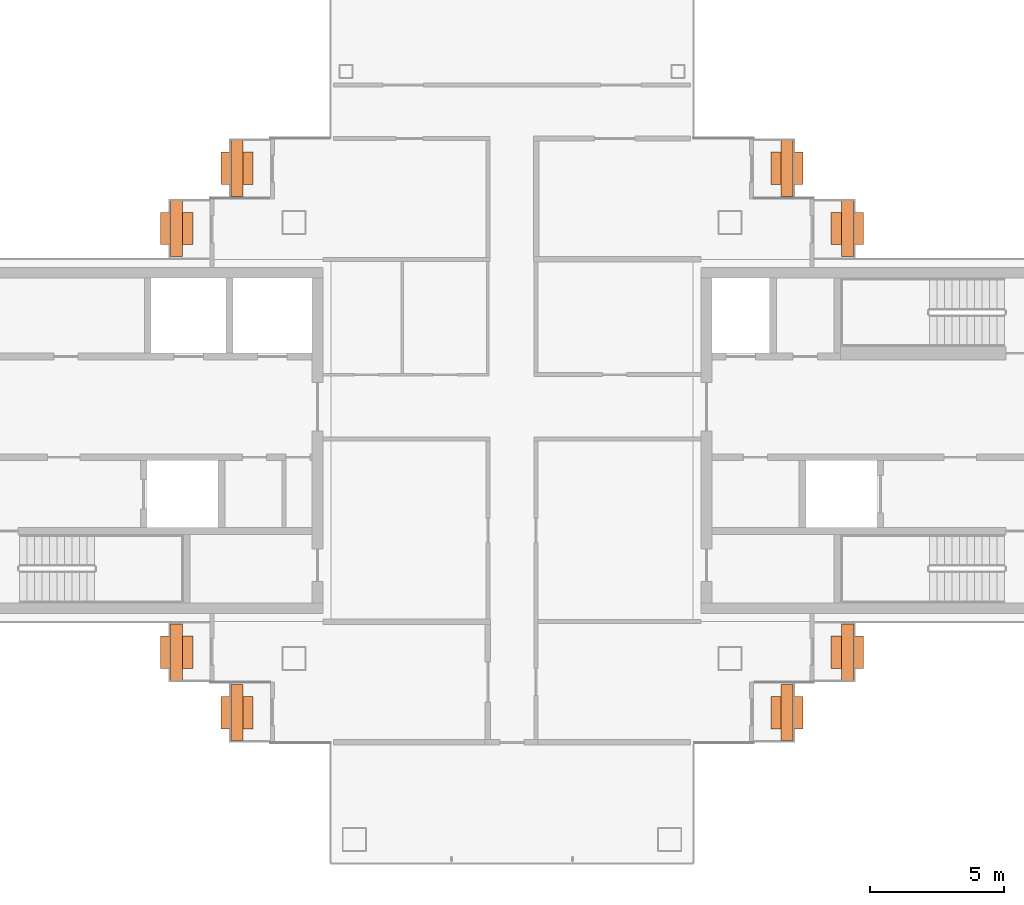
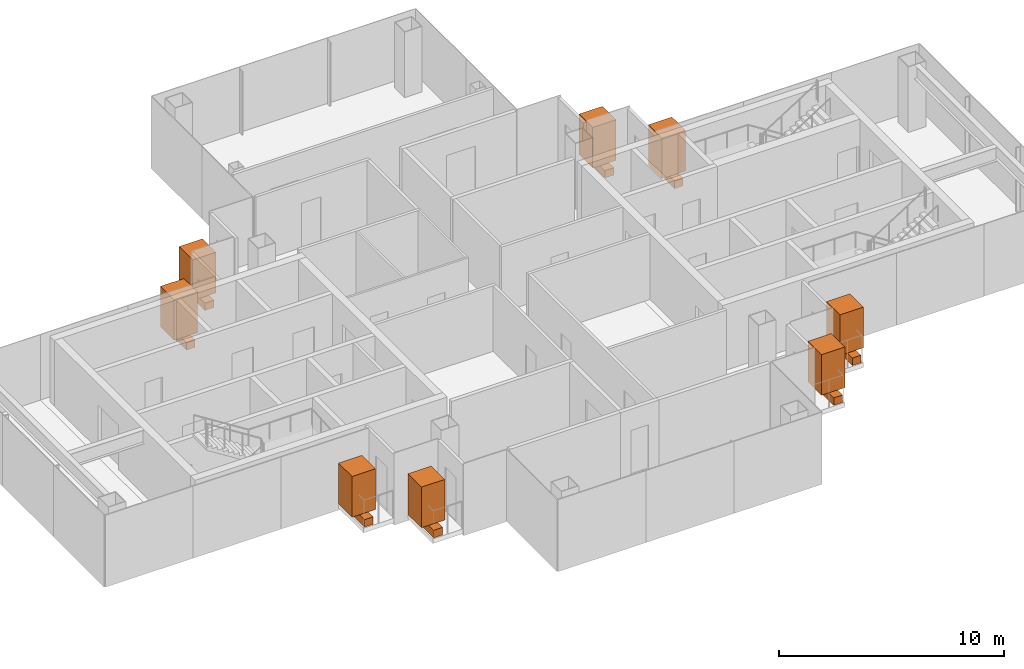
# One storey, part 17 of 17: 8 geographic elements, 8 proxies.
"""IFC4 building model written with IfcOpenShell, lengths in metres."""

from ifc_helpers import new_model, si_unit, direction, frame, origin, origin_2d, place, context, subcontext, project, spatial, rectangle, extrude, material, type_object, element, save


model = new_model("IFC4")

# Units and contexts
model_context = context("Model", 3, precision=1e-05, world=origin(), true_north=direction((0.0, 1.0)))
body_context = subcontext(model_context, "Body", "Model", "MODEL_VIEW")
ifc_project = project(units=[si_unit("LENGTHUNIT", "METRE"), si_unit("AREAUNIT", "SQUARE_METRE"), si_unit("VOLUMEUNIT", "CUBIC_METRE"), si_unit("PLANEANGLEUNIT", "RADIAN"), si_unit("MASSUNIT", "GRAM", prefix="KILO")], contexts=[model_context])

# Site, building, storey
site_placement = place(None, origin())
site = spatial("IfcSite", under=ifc_project, at=site_placement, CompositionType="ELEMENT")
building_placement = place(site_placement, origin())
building = spatial("IfcBuilding", under=site, at=building_placement, Name="Shamsa Quay Exchange Towers", CompositionType="ELEMENT")
storey_placement = place(building_placement, frame((0.0, 0.0, 238.199951171875)))
storey = spatial("IfcBuildingStorey", under=building, at=storey_placement, Name="L57", CompositionType="ELEMENT", Elevation=238.199951171875)

# Proxies
ifc_material_1 = material(Name="Reinforced concrete C30/37, black glass-fibre faced", Category="concrete")
building_element_proxy_type = type_object("IfcBuildingElementProxyType", Name="BALCONY PLANTER", PredefinedType="USERDEFINED", material=ifc_material_1)
for number, where, z_axis, x_axis, name in (
    (1, (23.5048828125, 10.14404296875, 0.0), (0.0, 0.0, 1.0), (0.0, -1.0, 0.0), "PLANTER T2-PKEN L57"),
    (2, (21.2548828125, 7.89404296875, 0.0), (0.0, 0.0, 1.0), (0.0, -1.0, 0.0), "PLANTER T2-PKEN L57"),
    (3, (43.9951171875, 10.14404296875, 0.0), (0.0, 0.0, 1.0), (0.0, 1.0, 0.0), "PLANTER T2-PKES L57"),
    (4, (46.2451171875, 7.89404296875, 0.0), (0.0, 0.0, 1.0), (0.0, 1.0, 0.0), "PLANTER T2-PKES L57"),
    (5, (21.2548828125, -7.89404296875, 0.0), (0.0, 0.0, 1.0), (0.0, -1.0, 0.0), "PLANTER T2-PKWN L57"),
    (6, (23.5048828125, -10.14404296875, 0.0), (0.0, 0.0, 1.0), (0.0, -1.0, 0.0), "PLANTER T2-PKWN L57"),
    (7, (43.9951171875, -10.14404296875, 0.0), (0.0, 0.0, 1.0), (0.0, 1.0, 0.0), "PLANTER T2-PKWS L57"),
    (8, (46.2451171875, -7.89404296875, 0.0), (0.0, 0.0, 1.0), (0.0, 1.0, 0.0), "PLANTER T2-PKWS L57"),
):
    element("IfcBuildingElementProxy", number, at=place(storey_placement, frame(where, z_axis=z_axis, x_axis=x_axis)), inside=storey, type_object=building_element_proxy_type, Name=name, ObjectType="PLANTER", PredefinedType="USERDEFINED", context=body_context, shape_type="SweptSolid", body=[
        extrude(rectangle(XDim=2.092041015625, YDim=0.449951171875, at=origin_2d()), origin(), (0.0, 0.0, 1.0), 0.39990234375),
    ])

# Geographic elements
ifc_material_2 = material(Name="Planting")
geographic_element_type = type_object("IfcGeographicElementType", Name="BALCONY TREE", PredefinedType="USERDEFINED", material=ifc_material_2)
for number, where, z_axis, x_axis, name in (
    (9, (23.5048828125, 10.14404296875, 0.39990234375), (0.0, 0.0, 1.0), (0.0, -1.0, 0.0), "TREE T2-PKEN L57"),
    (10, (21.2548828125, 7.89404296875, 0.39990234375), (0.0, 0.0, 1.0), (0.0, -1.0, 0.0), "TREE T2-PKEN L57"),
    (11, (43.9951171875, 10.14404296875, 0.39990234375), (0.0, 0.0, 1.0), (0.0, 1.0, 0.0), "TREE T2-PKES L57"),
    (12, (46.2451171875, 7.89404296875, 0.39990234375), (0.0, 0.0, 1.0), (0.0, 1.0, 0.0), "TREE T2-PKES L57"),
    (13, (21.2548828125, -7.89404296875, 0.39990234375), (0.0, 0.0, 1.0), (0.0, -1.0, 0.0), "TREE T2-PKWN L57"),
    (14, (23.5048828125, -10.14404296875, 0.39990234375), (0.0, 0.0, 1.0), (0.0, -1.0, 0.0), "TREE T2-PKWN L57"),
    (15, (43.9951171875, -10.14404296875, 0.39990234375), (0.0, 0.0, 1.0), (0.0, 1.0, 0.0), "TREE T2-PKWS L57"),
    (16, (46.2451171875, -7.89404296875, 0.39990234375), (0.0, 0.0, 1.0), (0.0, 1.0, 0.0), "TREE T2-PKWS L57"),
):
    element("IfcGeographicElement", number, at=place(storey_placement, frame(where, z_axis=z_axis, x_axis=x_axis)), inside=storey, type_object=geographic_element_type, Name=name, ObjectType="TREE", PredefinedType="USERDEFINED", context=body_context, shape_type="SweptSolid", body=[
        extrude(rectangle(XDim=1.199951171875, YDim=1.199951171875, at=origin_2d()), origin(), (0.0, 0.0, 1.0), 2.199951171875),
    ])

save(model, "model.ifc")
